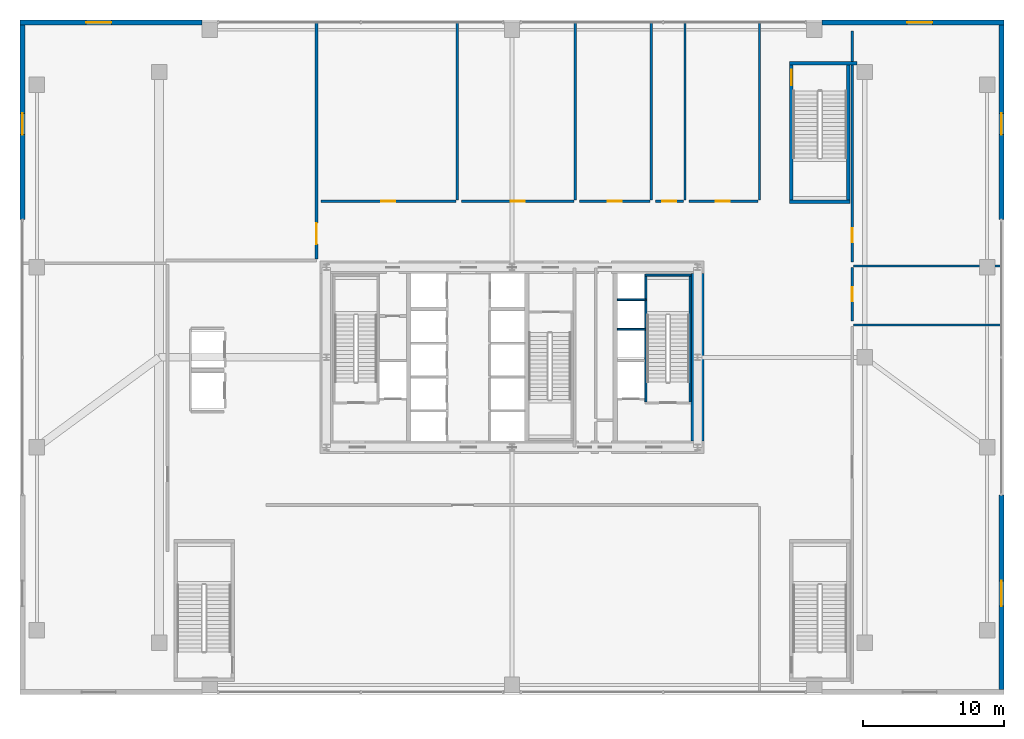
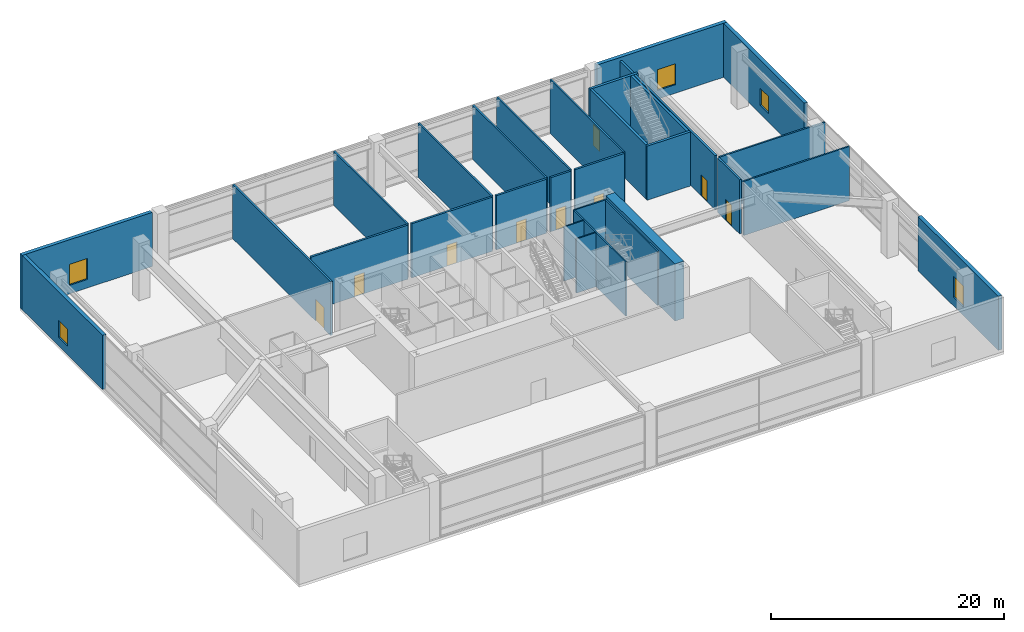
# One storey, part 35 of 39: 30 walls, 9 doors, 5 windows, 14 openings.
"""IFC4 building model written with IfcOpenShell, lengths in metres."""

from ifc_helpers import new_model, si_unit, direction, frame, frame_2d, origin, place, context, subcontext, project, spatial, rectangle, extrude, source, transform, mapped, material, layer, layer_set, type_object, element, fill, save


model = new_model("IFC4")

# Units and contexts
model_context = context("Model", 3, precision=1e-05, world=origin(), true_north=direction((0.0, 1.0)))
body_context = subcontext(model_context, "Body", "Model", "MODEL_VIEW")
ifc_project = project(units=[si_unit("LENGTHUNIT", "METRE"), si_unit("AREAUNIT", "SQUARE_METRE"), si_unit("VOLUMEUNIT", "CUBIC_METRE"), si_unit("PLANEANGLEUNIT", "RADIAN"), si_unit("MASSUNIT", "GRAM", prefix="KILO"), si_unit("THERMODYNAMICTEMPERATUREUNIT", "KELVIN"), si_unit("POWERUNIT", "WATT")], contexts=[model_context])

# Site, building, storey
site_placement = place(None, origin())
site = spatial("IfcSite", under=ifc_project, at=site_placement, CompositionType="ELEMENT")
building_placement = place(site_placement, origin())
building = spatial("IfcBuilding", under=site, at=building_placement, Name="Yuzanri Waterfront Tower", CompositionType="ELEMENT")
storey_placement = place(building_placement, frame((0.0, 0.0, 19.800048828125)))
storey = spatial("IfcBuildingStorey", under=building, at=storey_placement, Name="L05", CompositionType="ELEMENT", Elevation=19.800048828125)

# Wall, opening, door
ifc_material_1 = material(Name="Autoclaved Aerated Concrete Blockwork", Category="masonry")
ifc_layer_1 = layer(ifc_material_1, 0.199951171875)
ifc_layer_set_1 = layer_set([ifc_layer_1], Name="Autoclaved Aerated Concrete Blockwork")
wall_type_1 = type_object("IfcWallType", Name="Corridor and Unit Party Fire Wall 200", PredefinedType="PARTITIONING", material=ifc_layer_set_1)
wall_1_placement = place(storey_placement, frame((23.10009765625, 32.800048828125, 0.0), z_axis=(0.0, 0.0, 1.0), x_axis=(0.0, 1.0, 0.0)))
wall_1 = element("IfcWall", 1, at=wall_1_placement, inside=storey, type_object=wall_type_1, Name="L05 Partition PRW-L05-025-E", PredefinedType="PARTITIONING", context=body_context, shape_type="SweptSolid", body=[
    extrude(rectangle(XDim=16.820068359375, YDim=0.199951171875, at=frame_2d((8.41015625, 0.0))), origin(), (0.0, 0.0, 1.0), 5.679931640625),
])
opening_1_placement = place(wall_1_placement, frame((1.050048828125, 0.0, 0.0)))
opening_1 = element("IfcOpeningElement", 2, at=opening_1_placement, cuts=wall_1, Name="Opening FD-1500", PredefinedType="OPENING", context=body_context, shape_type="SweptSolid", body=[
    extrude(rectangle(XDim=1.5, YDim=2.300048828125, at=frame_2d((0.75, 1.14990234375))), frame((0.0, 0.11474609375, 0.0), z_axis=(0.0, -1.0, 0.0), x_axis=(1.0, 0.0, 0.0)), (0.0, 0.0, 1.0), 0.229736328125),
])
ifc_material_2 = material(Name="Painted Galvanized Fire Steel", Category="steel")
door_type_1 = type_object("IfcDoorType", Name="Plant and Ballroom Double Fire Door 1500x2300", OperationType="NOTDEFINED", PredefinedType="DOOR", material=ifc_material_2)
shared_shape_1 = source(origin(), body_context, "Body", "SweptSolid", [
    extrude(rectangle(XDim=1.5, YDim=2.300048828125, at=frame_2d((0.75, 1.14990234375))), frame((0.0, 0.02490234375, 0.0), z_axis=(0.0, -1.0, 0.0), x_axis=(1.0, 0.0, 0.0)), (0.0, 0.0, 1.0), 0.050048828125),
])
door_1_placement = place(opening_1_placement, origin())
door_1 = element("IfcDoor", 3, at=door_1_placement, inside=storey, type_object=door_type_1, Name="L05 Grand Ballroom", OperationType="DOUBLE_DOOR_SINGLE_SWING", OverallHeight=2.300048828125, OverallWidth=1.5, PredefinedType="DOOR", context=body_context, shape_type="MappedRepresentation", body=[
    mapped(shared_shape_1, transform((0.0, 0.0, 0.0), scale=1.0)),
])
fill(opening_1, door_1)

wall_2_placement = place(storey_placement, frame((61.199951171875, 28.39990234375, 0.0), z_axis=(0.0, 0.0, 1.0), x_axis=(0.0, 1.0, 0.0)))
wall_2 = element("IfcWall", 4, at=wall_2_placement, inside=storey, type_object=wall_type_1, Name="L05 Partition PRW-L05-028-W", PredefinedType="PARTITIONING", context=body_context, shape_type="SweptSolid", body=[
    extrude(rectangle(XDim=3.800048828125, YDim=0.199951171875, at=frame_2d((1.89990234375, 0.0))), origin(), (0.0, 0.0, 1.0), 5.679931640625),
])
opening_2_placement = place(wall_2_placement, frame((1.39990234375, 0.0, 0.0)))
opening_2 = element("IfcOpeningElement", 5, at=opening_2_placement, cuts=wall_2, Name="Opening FD-1000", PredefinedType="OPENING", context=body_context, shape_type="SweptSolid", body=[
    extrude(rectangle(XDim=1.0, YDim=2.199951171875, at=frame_2d((0.5, 1.10009765625))), frame((0.0, 0.11474609375, 0.0), z_axis=(0.0, -1.0, 0.0), x_axis=(1.0, 0.0, 0.0)), (0.0, 0.0, 1.0), 0.229736328125),
])
ifc_material_3 = material(Name="Engineered Oak Fire-Rated Timber", Category="wood")
door_type_2 = type_object("IfcDoorType", Name="Guestroom and Apartment Entrance Fire Door 1000x2200", OperationType="NOTDEFINED", PredefinedType="DOOR", material=ifc_material_3)
shared_shape_2 = source(origin(), body_context, "Body", "SweptSolid", [
    extrude(rectangle(XDim=1.0, YDim=2.199951171875, at=frame_2d((0.5, 1.10009765625))), frame((0.0, 0.02490234375, 0.0), z_axis=(0.0, -1.0, 0.0), x_axis=(1.0, 0.0, 0.0)), (0.0, 0.0, 1.0), 0.050048828125),
])
door_2_placement = place(opening_2_placement, origin())
door_2 = element("IfcDoor", 6, at=door_2_placement, inside=storey, type_object=door_type_2, Name="L05 Banquet Plating Kitchen", OperationType="SINGLE_SWING_LEFT", OverallHeight=2.199951171875, OverallWidth=1.0, PredefinedType="DOOR", context=body_context, shape_type="MappedRepresentation", body=[
    mapped(shared_shape_2, transform((0.0, 0.0, 0.0), scale=1.0)),
])
fill(opening_2, door_2)

wall_3_placement = place(storey_placement, frame((61.199951171875, 32.60009765625, 0.0), z_axis=(0.0, 0.0, 1.0), x_axis=(0.0, 1.0, 0.0)))
wall_3 = element("IfcWall", 7, at=wall_3_placement, inside=storey, type_object=wall_type_1, Name="L05 Partition PRW-L05-029-W", PredefinedType="PARTITIONING", context=body_context, shape_type="SweptSolid", body=[
    extrude(rectangle(XDim=16.39990234375, YDim=0.199951171875, at=frame_2d((8.199951171875, 0.0))), origin(), (0.0, 0.0, 1.0), 5.679931640625),
])
opening_3_placement = place(wall_3_placement, frame((1.39990234375, 0.0, 0.0)))
opening_3 = element("IfcOpeningElement", 8, at=opening_3_placement, cuts=wall_3, Name="Opening FD-1000", PredefinedType="OPENING", context=body_context, shape_type="SweptSolid", body=[
    extrude(rectangle(XDim=1.0, YDim=2.199951171875, at=frame_2d((0.5, 1.10009765625))), frame((0.0, 0.11474609375, 0.0), z_axis=(0.0, -1.0, 0.0), x_axis=(1.0, 0.0, 0.0)), (0.0, 0.0, 1.0), 0.229736328125),
])
door_3_placement = place(opening_3_placement, origin())
door_3 = element("IfcDoor", 9, at=door_3_placement, inside=storey, type_object=door_type_2, Name="L05 Banquet Equipment Store", OperationType="SINGLE_SWING_RIGHT", OverallHeight=2.199951171875, OverallWidth=1.0, PredefinedType="DOOR", context=body_context, shape_type="MappedRepresentation", body=[
    mapped(shared_shape_2, transform((0.0, 0.0, 0.0), scale=1.0)),
])
fill(opening_3, door_3)

wall_4_placement = place(storey_placement, frame((23.39990234375, 36.89990234375, 0.0), z_axis=(0.0, 0.0, 1.0), x_axis=(1.0, 0.0, 0.0)))
wall_4 = element("IfcWall", 10, at=wall_4_placement, inside=storey, type_object=wall_type_1, Name="L05 Partition PRW-L05-031-S", PredefinedType="PARTITIONING", context=body_context, shape_type="SweptSolid", body=[
    extrude(rectangle(XDim=9.60009765625, YDim=0.199951171875, at=frame_2d((4.800048828125, 0.0))), origin(), (0.0, 0.0, 1.0), 5.679931640625),
])
opening_4_placement = place(wall_4_placement, frame((4.300048828125, 0.0, 0.0)))
opening_4 = element("IfcOpeningElement", 11, at=opening_4_placement, cuts=wall_4, Name="Opening FD-1000", PredefinedType="OPENING", context=body_context, shape_type="SweptSolid", body=[
    extrude(rectangle(XDim=1.0, YDim=2.199951171875, at=frame_2d((0.5, 1.10009765625))), frame((0.0, 0.11474609375, 0.0), z_axis=(0.0, -1.0, 0.0), x_axis=(1.0, 0.0, 0.0)), (0.0, 0.0, 1.0), 0.229736328125),
])
door_4_placement = place(opening_4_placement, origin())
door_4 = element("IfcDoor", 12, at=door_4_placement, inside=storey, type_object=door_type_2, Name="L05 Audio-Visual Control Office", OperationType="SINGLE_SWING_LEFT", OverallHeight=2.199951171875, OverallWidth=1.0, PredefinedType="DOOR", context=body_context, shape_type="MappedRepresentation", body=[
    mapped(shared_shape_2, transform((0.0, 0.0, 0.0), scale=1.0)),
])
fill(opening_4, door_4)

wall_5_placement = place(storey_placement, frame((33.39990234375, 36.89990234375, 0.0), z_axis=(0.0, 0.0, 1.0), x_axis=(1.0, 0.0, 0.0)))
wall_5 = element("IfcWall", 13, at=wall_5_placement, inside=storey, type_object=wall_type_1, Name="L05 Partition PRW-L05-032-S", PredefinedType="PARTITIONING", context=body_context, shape_type="SweptSolid", body=[
    extrude(rectangle(XDim=8.0, YDim=0.199951171875, at=frame_2d((4.0, 0.0))), origin(), (0.0, 0.0, 1.0), 5.679931640625),
])
opening_5_placement = place(wall_5_placement, frame((3.5, 0.0, 0.0)))
opening_5 = element("IfcOpeningElement", 14, at=opening_5_placement, cuts=wall_5, Name="Opening FD-1000", PredefinedType="OPENING", context=body_context, shape_type="SweptSolid", body=[
    extrude(rectangle(XDim=1.0, YDim=2.199951171875, at=frame_2d((0.5, 1.10009765625))), frame((0.0, 0.11474609375, 0.0), z_axis=(0.0, -1.0, 0.0), x_axis=(1.0, 0.0, 0.0)), (0.0, 0.0, 1.0), 0.229736328125),
])
door_5_placement = place(opening_5_placement, origin())
door_5 = element("IfcDoor", 15, at=door_5_placement, inside=storey, type_object=door_type_2, Name="L05 Banquet Chair and Linen Store", OperationType="SINGLE_SWING_RIGHT", OverallHeight=2.199951171875, OverallWidth=1.0, PredefinedType="DOOR", context=body_context, shape_type="MappedRepresentation", body=[
    mapped(shared_shape_2, transform((0.0, 0.0, 0.0), scale=1.0)),
])
fill(opening_5, door_5)

wall_6_placement = place(storey_placement, frame((41.800048828125, 36.89990234375, 0.0), z_axis=(0.0, 0.0, 1.0), x_axis=(1.0, 0.0, 0.0)))
wall_6 = element("IfcWall", 16, at=wall_6_placement, inside=storey, type_object=wall_type_1, Name="L05 Partition PRW-L05-033-S", PredefinedType="PARTITIONING", context=body_context, shape_type="SweptSolid", body=[
    extrude(rectangle(XDim=5.0, YDim=0.199951171875, at=frame_2d((2.5, 0.0))), origin(), (0.0, 0.0, 1.0), 5.679931640625),
])
opening_6_placement = place(wall_6_placement, frame((2.0, 0.0, 0.0)))
opening_6 = element("IfcOpeningElement", 17, at=opening_6_placement, cuts=wall_6, Name="Opening FD-1000", PredefinedType="OPENING", context=body_context, shape_type="SweptSolid", body=[
    extrude(rectangle(XDim=1.0, YDim=2.199951171875, at=frame_2d((0.5, 1.10009765625))), frame((0.0, 0.11474609375, 0.0), z_axis=(0.0, -1.0, 0.0), x_axis=(1.0, 0.0, 0.0)), (0.0, 0.0, 1.0), 0.229736328125),
])
door_6_placement = place(opening_6_placement, origin())
door_6 = element("IfcDoor", 18, at=door_6_placement, inside=storey, type_object=door_type_2, Name="L05 Public Restroom", OperationType="SINGLE_SWING_LEFT", OverallHeight=2.199951171875, OverallWidth=1.0, PredefinedType="DOOR", context=body_context, shape_type="MappedRepresentation", body=[
    mapped(shared_shape_2, transform((0.0, 0.0, 0.0), scale=1.0)),
])
fill(opening_6, door_6)

wall_7_placement = place(storey_placement, frame((47.199951171875, 36.89990234375, 0.0), z_axis=(0.0, 0.0, 1.0), x_axis=(1.0, 0.0, 0.0)))
wall_7 = element("IfcWall", 19, at=wall_7_placement, inside=storey, type_object=wall_type_1, Name="L05 Partition PRW-L05-034-S", PredefinedType="PARTITIONING", context=body_context, shape_type="SweptSolid", body=[
    extrude(rectangle(XDim=2.0, YDim=0.199951171875, at=frame_2d((1.0, 0.0))), origin(), (0.0, 0.0, 1.0), 5.679931640625),
])
opening_7_placement = place(wall_7_placement, frame((0.5, 0.0, 0.0)))
opening_7 = element("IfcOpeningElement", 20, at=opening_7_placement, cuts=wall_7, Name="Opening FD-1000", PredefinedType="OPENING", context=body_context, shape_type="SweptSolid", body=[
    extrude(rectangle(XDim=1.0, YDim=2.199951171875, at=frame_2d((0.5, 1.10009765625))), frame((0.0, 0.11474609375, 0.0), z_axis=(0.0, -1.0, 0.0), x_axis=(1.0, 0.0, 0.0)), (0.0, 0.0, 1.0), 0.229736328125),
])
door_7_placement = place(opening_7_placement, origin())
door_7 = element("IfcDoor", 21, at=door_7_placement, inside=storey, type_object=door_type_2, Name="L05 Accessible WC", OperationType="SINGLE_SWING_RIGHT", OverallHeight=2.199951171875, OverallWidth=1.0, PredefinedType="DOOR", context=body_context, shape_type="MappedRepresentation", body=[
    mapped(shared_shape_2, transform((0.0, 0.0, 0.0), scale=1.0)),
])
fill(opening_7, door_7)

wall_8_placement = place(storey_placement, frame((49.60009765625, 36.89990234375, 0.0), z_axis=(0.0, 0.0, 1.0), x_axis=(1.0, 0.0, 0.0)))
wall_8 = element("IfcWall", 22, at=wall_8_placement, inside=storey, type_object=wall_type_1, Name="L05 Partition PRW-L05-035-S", PredefinedType="PARTITIONING", context=body_context, shape_type="SweptSolid", body=[
    extrude(rectangle(XDim=4.89990234375, YDim=0.199951171875, at=frame_2d((2.449951171875, 0.0))), origin(), (0.0, 0.0, 1.0), 5.679931640625),
])
opening_8_placement = place(wall_8_placement, frame((1.89990234375, 0.0, 0.0)))
opening_8 = element("IfcOpeningElement", 23, at=opening_8_placement, cuts=wall_8, Name="Opening FD-1000", PredefinedType="OPENING", context=body_context, shape_type="SweptSolid", body=[
    extrude(rectangle(XDim=1.0, YDim=2.199951171875, at=frame_2d((0.5, 1.10009765625))), frame((0.0, 0.11474609375, 0.0), z_axis=(0.0, -1.0, 0.0), x_axis=(1.0, 0.0, 0.0)), (0.0, 0.0, 1.0), 0.229736328125),
])
door_8_placement = place(opening_8_placement, origin())
door_8 = element("IfcDoor", 24, at=door_8_placement, inside=storey, type_object=door_type_2, Name="L05 Ballroom Coat Store", OperationType="SINGLE_SWING_LEFT", OverallHeight=2.199951171875, OverallWidth=1.0, PredefinedType="DOOR", context=body_context, shape_type="MappedRepresentation", body=[
    mapped(shared_shape_2, transform((0.0, 0.0, 0.0), scale=1.0)),
])
fill(opening_8, door_8)

# Wall, opening, window
ifc_material_4 = material(Name="Honed Chongqing Dark Basalt Stone", Category="masonry")
ifc_layer_2 = layer(ifc_material_4, 0.360107421875)
ifc_layer_set_2 = layer_set([ifc_layer_2], Name="Honed Chongqing Dark Basalt Stone")
wall_type_2 = type_object("IfcWallType", Name="Honed Basalt Stone Masonry-Frame Spandrel Wall 360", PredefinedType="SOLIDWALL", material=ifc_layer_set_2)
wall_9_placement = place(storey_placement, frame((2.0, 49.6201171875, 0.0), z_axis=(0.0, 0.0, 1.0), x_axis=(1.0, 0.0, 0.0)))
wall_9 = element("IfcWall", 25, at=wall_9_placement, inside=storey, type_object=wall_type_2, Name="L05 North-West Basalt Wall", PredefinedType="SOLIDWALL", context=body_context, shape_type="SweptSolid", body=[
    extrude(rectangle(XDim=12.929931640625, YDim=0.360107421875, at=frame_2d((6.46484375, 0.0))), origin(), (0.0, 0.0, 1.0), 5.679931640625),
])
opening_9_placement = place(wall_9_placement, frame((4.699951171875, 0.0, 0.89990234375)))
opening_9 = element("IfcOpeningElement", 26, at=opening_9_placement, cuts=wall_9, Name="Opening WN-01", PredefinedType="OPENING", context=body_context, shape_type="SweptSolid", body=[
    extrude(rectangle(XDim=1.800048828125, YDim=2.199951171875, at=frame_2d((0.89990234375, 1.10009765625))), frame((0.0, 0.19482421875, 0.0), z_axis=(0.0, -1.0, 0.0), x_axis=(1.0, 0.0, 0.0)), (0.0, 0.0, 1.0), 0.389892578125),
])
ifc_material_5 = material(Name="Double-Silver Low-E Insulated Glass", Category="glass")
window_type_1 = type_object("IfcWindowType", Name="Anodized Bronze Recessed Bronze Frame Double Casement Window 1800x2200", PartitioningType="SINGLE_PANEL", PredefinedType="WINDOW", material=ifc_material_5)
shared_shape_3 = source(origin(), body_context, "Body", "SweptSolid", [
    extrude(rectangle(XDim=1.800048828125, YDim=2.199951171875, at=frame_2d((0.89990234375, 1.10009765625))), frame((0.0, 0.030029296875, 0.0), z_axis=(0.0, -1.0, 0.0), x_axis=(1.0, 0.0, 0.0)), (0.0, 0.0, 1.0), 0.06005859375),
])
window_1_placement = place(opening_9_placement, origin())
window_1 = element("IfcWindow", 27, at=window_1_placement, inside=storey, type_object=window_type_1, Name="L05 NW Casement Window", OverallHeight=2.199951171875, OverallWidth=1.800048828125, PartitioningType="SINGLE_PANEL", PredefinedType="WINDOW", context=body_context, shape_type="MappedRepresentation", body=[
    mapped(shared_shape_3, transform((0.0, 0.0, 0.0), scale=1.0)),
])
fill(opening_9, window_1)

wall_10_placement = place(storey_placement, frame((59.070068359375, 49.6201171875, 0.0), z_axis=(0.0, 0.0, 1.0), x_axis=(1.0, 0.0, 0.0)))
wall_10 = element("IfcWall", 28, at=wall_10_placement, inside=storey, type_object=wall_type_2, Name="L05 North-East Basalt Wall", PredefinedType="SOLIDWALL", context=body_context, shape_type="SweptSolid", body=[
    extrude(rectangle(XDim=12.929931640625, YDim=0.360107421875, at=frame_2d((6.46484375, 0.0))), origin(), (0.0, 0.0, 1.0), 5.679931640625),
])
opening_10_placement = place(wall_10_placement, frame((6.030029296875, 0.0, 0.89990234375)))
opening_10 = element("IfcOpeningElement", 29, at=opening_10_placement, cuts=wall_10, Name="Opening WN-01", PredefinedType="OPENING", context=body_context, shape_type="SweptSolid", body=[
    extrude(rectangle(XDim=1.800048828125, YDim=2.199951171875, at=frame_2d((0.89990234375, 1.10009765625))), frame((0.0, 0.19482421875, 0.0), z_axis=(0.0, -1.0, 0.0), x_axis=(1.0, 0.0, 0.0)), (0.0, 0.0, 1.0), 0.389892578125),
])
window_2_placement = place(opening_10_placement, origin())
window_2 = element("IfcWindow", 30, at=window_2_placement, inside=storey, type_object=window_type_1, Name="L05 NE Casement Window", OverallHeight=2.199951171875, OverallWidth=1.800048828125, PartitioningType="SINGLE_PANEL", PredefinedType="WINDOW", context=body_context, shape_type="MappedRepresentation", body=[
    mapped(shared_shape_3, transform((0.0, 0.0, 0.0), scale=1.0)),
])
fill(opening_10, window_2)

wall_11_placement = place(storey_placement, frame((2.179931640625, 35.60009765625, 0.0), z_axis=(0.0, 0.0, 1.0), x_axis=(0.0, 1.0, 0.0)))
wall_11 = element("IfcWall", 31, at=wall_11_placement, inside=storey, type_object=wall_type_2, Name="L05 W North Basalt Pier", PredefinedType="SOLIDWALL", context=body_context, shape_type="SweptSolid", body=[
    extrude(rectangle(XDim=13.83984375, YDim=0.360107421875, at=frame_2d((6.919921875, 0.0))), origin(), (0.0, 0.0, 1.0), 5.679931640625),
])
opening_11_placement = place(wall_11_placement, frame((6.050048828125, 0.0, 0.89990234375)))
opening_11 = element("IfcOpeningElement", 32, at=opening_11_placement, cuts=wall_11, Name="Opening WN-04", PredefinedType="OPENING", context=body_context, shape_type="SweptSolid", body=[
    extrude(rectangle(XDim=1.5, YDim=1.800048828125, at=frame_2d((0.75, 0.89990234375))), frame((0.0, 0.19482421875, 0.0), z_axis=(0.0, -1.0, 0.0), x_axis=(1.0, 0.0, 0.0)), (0.0, 0.0, 1.0), 0.389892578125),
])
ifc_material_6 = material(Name="Double-Silver Low-E Insulated Glass", Category="glass")
window_type_2 = type_object("IfcWindowType", Name="Anodized Bronze Suite Operable Tilt-Turn Window 1500x1800", PartitioningType="SINGLE_PANEL", PredefinedType="WINDOW", material=ifc_material_6)
shared_shape_4 = source(origin(), body_context, "Body", "SweptSolid", [
    extrude(rectangle(XDim=1.5, YDim=1.800048828125, at=frame_2d((0.75, 0.89990234375))), frame((0.0, 0.030029296875, 0.0), z_axis=(0.0, -1.0, 0.0), x_axis=(1.0, 0.0, 0.0)), (0.0, 0.0, 1.0), 0.06005859375),
])
window_3_placement = place(opening_11_placement, origin())
window_3 = element("IfcWindow", 33, at=window_3_placement, inside=storey, type_object=window_type_2, Name="L05 WN Window", OverallHeight=1.800048828125, OverallWidth=1.5, PartitioningType="SINGLE_PANEL", PredefinedType="WINDOW", context=body_context, shape_type="MappedRepresentation", body=[
    mapped(shared_shape_4, transform((0.0, 0.0, 0.0), scale=1.0)),
])
fill(opening_11, window_3)

wall_12_placement = place(storey_placement, frame((71.820068359375, 2.159912109375, 0.0), z_axis=(0.0, 0.0, 1.0), x_axis=(0.0, 1.0, 0.0)))
wall_12 = element("IfcWall", 34, at=wall_12_placement, inside=storey, type_object=wall_type_2, Name="L05 E South Basalt Pier", PredefinedType="SOLIDWALL", context=body_context, shape_type="SweptSolid", body=[
    extrude(rectangle(XDim=13.840087890625, YDim=0.360107421875, at=frame_2d((6.919921875, 0.0))), origin(), (0.0, 0.0, 1.0), 5.679931640625),
])
opening_12_placement = place(wall_12_placement, frame((5.93994140625, 0.0, 0.89990234375)))
opening_12 = element("IfcOpeningElement", 35, at=opening_12_placement, cuts=wall_12, Name="Opening WN-01", PredefinedType="OPENING", context=body_context, shape_type="SweptSolid", body=[
    extrude(rectangle(XDim=1.800048828125, YDim=2.199951171875, at=frame_2d((0.89990234375, 1.10009765625))), frame((0.0, 0.19482421875, 0.0), z_axis=(0.0, -1.0, 0.0), x_axis=(1.0, 0.0, 0.0)), (0.0, 0.0, 1.0), 0.389892578125),
])
window_4_placement = place(opening_12_placement, origin())
window_4 = element("IfcWindow", 36, at=window_4_placement, inside=storey, type_object=window_type_1, Name="L05 ES Window", OverallHeight=2.199951171875, OverallWidth=1.800048828125, PartitioningType="SINGLE_PANEL", PredefinedType="WINDOW", context=body_context, shape_type="MappedRepresentation", body=[
    mapped(shared_shape_3, transform((0.0, 0.0, 0.0), scale=1.0)),
])
fill(opening_12, window_4)

wall_13_placement = place(storey_placement, frame((71.820068359375, 35.60009765625, 0.0), z_axis=(0.0, 0.0, 1.0), x_axis=(0.0, 1.0, 0.0)))
wall_13 = element("IfcWall", 37, at=wall_13_placement, inside=storey, type_object=wall_type_2, Name="L05 E North Basalt Pier", PredefinedType="SOLIDWALL", context=body_context, shape_type="SweptSolid", body=[
    extrude(rectangle(XDim=13.83984375, YDim=0.360107421875, at=frame_2d((6.919921875, 0.0))), origin(), (0.0, 0.0, 1.0), 5.679931640625),
])
opening_13_placement = place(wall_13_placement, frame((6.050048828125, 0.0, 0.89990234375)))
opening_13 = element("IfcOpeningElement", 38, at=opening_13_placement, cuts=wall_13, Name="Opening WN-04", PredefinedType="OPENING", context=body_context, shape_type="SweptSolid", body=[
    extrude(rectangle(XDim=1.5, YDim=1.800048828125, at=frame_2d((0.75, 0.89990234375))), frame((0.0, 0.19482421875, 0.0), z_axis=(0.0, -1.0, 0.0), x_axis=(1.0, 0.0, 0.0)), (0.0, 0.0, 1.0), 0.389892578125),
])
window_5_placement = place(opening_13_placement, origin())
window_5 = element("IfcWindow", 39, at=window_5_placement, inside=storey, type_object=window_type_2, Name="L05 EN Window", OverallHeight=1.800048828125, OverallWidth=1.5, PartitioningType="SINGLE_PANEL", PredefinedType="WINDOW", context=body_context, shape_type="MappedRepresentation", body=[
    mapped(shared_shape_4, transform((0.0, 0.0, 0.0), scale=1.0)),
])
fill(opening_13, window_5)

# Wall, opening, door
ifc_material_7 = material(Name="Concrete C40", Category="concrete")
ifc_layer_3 = layer(ifc_material_7, 0.25)
ifc_layer_set_3 = layer_set([ifc_layer_3], Name="Concrete C40")
wall_type_3 = type_object("IfcWallType", Name="Smoke-Proof Stair and Lift Shaft Wall 250", PredefinedType="SOLIDWALL", material=ifc_layer_set_3)
wall_14_placement = place(storey_placement, frame((56.875, 37.0, 0.0), z_axis=(0.0, 0.0, 1.0), x_axis=(0.0, 1.0, 0.0)))
wall_14 = element("IfcWall", 40, at=wall_14_placement, inside=storey, type_object=wall_type_3, Name="L05 Shaft Wall PSTW-L05-PST-03-W", PredefinedType="SOLIDWALL", context=body_context, shape_type="SweptSolid", body=[
    extrude(rectangle(XDim=9.60009765625, YDim=0.25, at=frame_2d((4.800048828125, 0.0))), origin(), (0.0, 0.0, 1.0), 5.679931640625),
])
opening_14_placement = place(wall_14_placement, frame((8.14990234375, 0.0, 0.0)))
opening_14 = element("IfcOpeningElement", 41, at=opening_14_placement, cuts=wall_14, Name="Opening FD-1100", PredefinedType="OPENING", context=body_context, shape_type="SweptSolid", body=[
    extrude(rectangle(XDim=1.10009765625, YDim=2.199951171875, at=frame_2d((0.550048828125, 1.10009765625))), frame((0.0, 0.139892578125, 0.0), z_axis=(0.0, -1.0, 0.0), x_axis=(1.0, 0.0, 0.0)), (0.0, 0.0, 1.0), 0.27978515625),
])
ifc_material_8 = material(Name="Painted Galvanized Fire Steel", Category="steel")
door_type_3 = type_object("IfcDoorType", Name="Smoke-Proof Stair and Lobby Fire Door 1100x2200", OperationType="NOTDEFINED", PredefinedType="DOOR", material=ifc_material_8)
shared_shape_5 = source(origin(), body_context, "Body", "SweptSolid", [
    extrude(rectangle(XDim=1.10009765625, YDim=2.199951171875, at=frame_2d((0.550048828125, 1.10009765625))), frame((0.0, 0.02490234375, 0.0), z_axis=(0.0, -1.0, 0.0), x_axis=(1.0, 0.0, 0.0)), (0.0, 0.0, 1.0), 0.050048828125),
])
door_9_placement = place(opening_14_placement, origin())
door_9 = element("IfcDoor", 42, at=door_9_placement, inside=storey, type_object=door_type_3, Name="L05 PST-03 Stair Door", OperationType="SINGLE_SWING_LEFT", OverallHeight=2.199951171875, OverallWidth=1.10009765625, PredefinedType="DOOR", context=body_context, shape_type="MappedRepresentation", body=[
    mapped(shared_shape_5, transform((0.0, 0.0, 0.0), scale=1.0)),
])
fill(opening_14, door_9)

# Walls
ifc_material_9 = material(Name="Concrete C60", Category="concrete")
ifc_layer_4 = layer(ifc_material_9, 0.89990234375)
ifc_layer_set_4 = layer_set([ifc_layer_4], Name="Concrete C60")
wall_type_4 = type_object("IfcWallType", Name="Concrete C60 Lower Zone Core Shear Wall 900", PredefinedType="SHEAR", material=ifc_layer_set_4)
shared_shape_6 = source(origin(), body_context, "Body", "SweptSolid", [
    extrude(rectangle(XDim=11.89990234375, YDim=0.89990234375, at=frame_2d((5.949951171875, 0.0))), origin(), (0.0, 0.0, 1.0), 6.0),
])
wall_15_placement = place(storey_placement, frame((50.199951171875, 19.85009765625, 0.0), z_axis=(0.0, 0.0, 1.0), x_axis=(0.0, 1.0, 0.0)))
element("IfcWall", 43, at=wall_15_placement, inside=storey, type_object=wall_type_4, Name="L05 Core East Shear Wall", PredefinedType="SHEAR", context=body_context, shape_type="MappedRepresentation", body=[
    mapped(shared_shape_6, transform((0.0, 0.0, 0.0), scale=1.0)),
])
ifc_material_10 = material(Name="Concrete C40", Category="concrete")
ifc_layer_5 = layer(ifc_material_10, 0.139892578125)
ifc_layer_set_5 = layer_set([ifc_layer_5], Name="Concrete C40")
wall_type_5 = type_object("IfcWallType", Name="Core Stair Liner and Hoistway Shaft Wall 140", PredefinedType="SOLIDWALL", material=ifc_layer_set_5)
shared_shape_7 = source(origin(), body_context, "Body", "SweptSolid", [
    extrude(rectangle(XDim=2.0, YDim=0.139892578125, at=frame_2d((1.0, 0.0))), origin(), (0.0, 0.0, 1.0), 5.679931640625),
])
for number, where, z_axis, x_axis, name in (
    (44, (44.5, 27.800048828125, 0.0), (0.0, 0.0, 1.0), (1.0, 0.0, 0.0), "L05 Lift PL-09 Divider Wall"),
    (45, (44.5, 29.89990234375, 0.0), (0.0, 0.0, 1.0), (1.0, 0.0, 0.0), "L05 Lift PL-10 Divider Wall"),
):
    element("IfcWall", number, at=place(storey_placement, frame(where, z_axis=z_axis, x_axis=x_axis)), inside=storey, type_object=wall_type_5, Name=name, PredefinedType="SOLIDWALL", context=body_context, shape_type="MappedRepresentation", body=[
        mapped(shared_shape_7, transform((0.0, 0.0, 0.0), scale=1.0)),
    ])
shared_shape_8 = source(origin(), body_context, "Body", "SweptSolid", [
    extrude(rectangle(XDim=3.280029296875, YDim=0.139892578125, at=frame_2d((1.64013671875, 0.0))), origin(), (0.0, 0.0, 1.0), 5.679931640625),
])
wall_16_placement = place(storey_placement, frame((46.4599609375, 31.64990234375, 0.0), z_axis=(0.0, 0.0, 1.0), x_axis=(1.0, 0.0, 0.0)))
element("IfcWall", 46, at=wall_16_placement, inside=storey, type_object=wall_type_5, Name="L05 Stair ST-02 North Shaft Wall", PredefinedType="SOLIDWALL", context=body_context, shape_type="MappedRepresentation", body=[
    mapped(shared_shape_8, transform((0.0, 0.0, 0.0), scale=1.0)),
])
shared_shape_9 = source(origin(), body_context, "Body", "SweptSolid", [
    extrude(rectangle(XDim=8.940185546875, YDim=0.139892578125, at=frame_2d((4.47021484375, 0.0))), origin(), (0.0, 0.0, 1.0), 5.679931640625),
])
for number, where, z_axis, x_axis, name in (
    (47, (46.530029296875, 22.639892578125, 0.0), (0.0, 0.0, 1.0), (0.0, 1.0, 0.0), "L05 Stair ST-02 West Shaft Wall"),
    (48, (49.669921875, 22.639892578125, 0.0), (0.0, 0.0, 1.0), (0.0, 1.0, 0.0), "L05 Stair ST-02 East Shaft Wall"),
):
    element("IfcWall", number, at=place(storey_placement, frame(where, z_axis=z_axis, x_axis=x_axis)), inside=storey, type_object=wall_type_5, Name=name, PredefinedType="SOLIDWALL", context=body_context, shape_type="MappedRepresentation", body=[
        mapped(shared_shape_9, transform((0.0, 0.0, 0.0), scale=1.0)),
    ])
shared_shape_10 = source(origin(), body_context, "Body", "SweptSolid", [
    extrude(rectangle(XDim=4.300048828125, YDim=0.25, at=frame_2d((2.14990234375, 0.0))), origin(), (0.0, 0.0, 1.0), 5.679931640625),
])
wall_17_placement = place(storey_placement, frame((56.75, 36.875, 0.0), z_axis=(0.0, 0.0, 1.0), x_axis=(1.0, 0.0, 0.0)))
element("IfcWall", 49, at=wall_17_placement, inside=storey, type_object=wall_type_3, Name="L05 PST-03 South Wall", PredefinedType="SOLIDWALL", context=body_context, shape_type="MappedRepresentation", body=[
    mapped(shared_shape_10, transform((0.0, 0.0, 0.0), scale=1.0)),
])
shared_shape_11 = source(origin(), body_context, "Body", "SweptSolid", [
    extrude(rectangle(XDim=9.60009765625, YDim=0.25, at=frame_2d((4.800048828125, 0.0))), origin(), (0.0, 0.0, 1.0), 5.679931640625),
])
wall_18_placement = place(storey_placement, frame((60.925048828125, 37.0, 0.0), z_axis=(0.0, 0.0, 1.0), x_axis=(0.0, 1.0, 0.0)))
element("IfcWall", 50, at=wall_18_placement, inside=storey, type_object=wall_type_3, Name="L05 Shaft Wall PSTW-L05-PST-03-E", PredefinedType="SOLIDWALL", context=body_context, shape_type="MappedRepresentation", body=[
    mapped(shared_shape_11, transform((0.0, 0.0, 0.0), scale=1.0)),
])
shared_shape_12 = source(origin(), body_context, "Body", "SweptSolid", [
    extrude(rectangle(XDim=4.800048828125, YDim=0.25, at=frame_2d((2.39990234375, 0.0))), origin(), (0.0, 0.0, 1.0), 5.679931640625),
])
wall_19_placement = place(storey_placement, frame((56.75, 46.72509765625, 0.0), z_axis=(0.0, 0.0, 1.0), x_axis=(1.0, 0.0, 0.0)))
element("IfcWall", 51, at=wall_19_placement, inside=storey, type_object=wall_type_3, Name="L05 PST-03 North Wall", PredefinedType="SOLIDWALL", context=body_context, shape_type="MappedRepresentation", body=[
    mapped(shared_shape_12, transform((0.0, 0.0, 0.0), scale=1.0)),
])
ifc_material_11 = material(Name="Gypsum Fireboard Acoustic Stud Wall", Category="gypsum")
ifc_layer_6 = layer(ifc_material_11, 0.159912109375)
ifc_layer_set_6 = layer_set([ifc_layer_6], Name="Gypsum Fireboard Acoustic Stud Wall")
wall_type_6 = type_object("IfcWallType", Name="Acoustic Suite Demising Partition 160", PredefinedType="PARTITIONING", material=ifc_layer_set_6)
shared_shape_13 = source(origin(), body_context, "Body", "SweptSolid", [
    extrude(rectangle(XDim=10.52001953125, YDim=0.159912109375, at=frame_2d((5.260009765625, 0.0))), origin(), (0.0, 0.0, 1.0), 5.679931640625),
])
for number, where, z_axis, x_axis, name in (
    (52, (61.300048828125, 32.300048828125, 0.0), (0.0, 0.0, 1.0), (1.0, 0.0, 0.0), "L05-028 North Partition"),
    (53, (61.300048828125, 28.10009765625, 0.0), (0.0, 0.0, 1.0), (1.0, 0.0, 0.0), "L05-030 North Partition"),
):
    element("IfcWall", number, at=place(storey_placement, frame(where, z_axis=z_axis, x_axis=x_axis)), inside=storey, type_object=wall_type_6, Name=name, PredefinedType="PARTITIONING", context=body_context, shape_type="MappedRepresentation", body=[
        mapped(shared_shape_13, transform((0.0, 0.0, 0.0), scale=1.0)),
    ])
shared_shape_14 = source(origin(), body_context, "Body", "SweptSolid", [
    extrude(rectangle(XDim=12.6201171875, YDim=0.159912109375, at=frame_2d((6.31005859375, 0.0))), origin(), (0.0, 0.0, 1.0), 5.679931640625),
])
for number, where, z_axis, x_axis, name in (
    (54, (33.10009765625, 37.0, 0.0), (0.0, 0.0, 1.0), (0.0, 1.0, 0.0), "L05-031 Demising Wall"),
    (55, (41.5, 37.0, 0.0), (0.0, 0.0, 1.0), (0.0, 1.0, 0.0), "L05-032 Demising Wall"),
    (56, (46.89990234375, 37.0, 0.0), (0.0, 0.0, 1.0), (0.0, 1.0, 0.0), "L05-033 Demising Wall"),
    (57, (49.300048828125, 37.0, 0.0), (0.0, 0.0, 1.0), (0.0, 1.0, 0.0), "L05-034 Demising Wall"),
    (58, (54.60009765625, 37.0, 0.0), (0.0, 0.0, 1.0), (0.0, 1.0, 0.0), "L05-035 Demising Wall"),
):
    element("IfcWall", number, at=place(storey_placement, frame(where, z_axis=z_axis, x_axis=x_axis)), inside=storey, type_object=wall_type_6, Name=name, PredefinedType="PARTITIONING", context=body_context, shape_type="MappedRepresentation", body=[
        mapped(shared_shape_14, transform((0.0, 0.0, 0.0), scale=1.0)),
    ])

save(model, "model.ifc")
